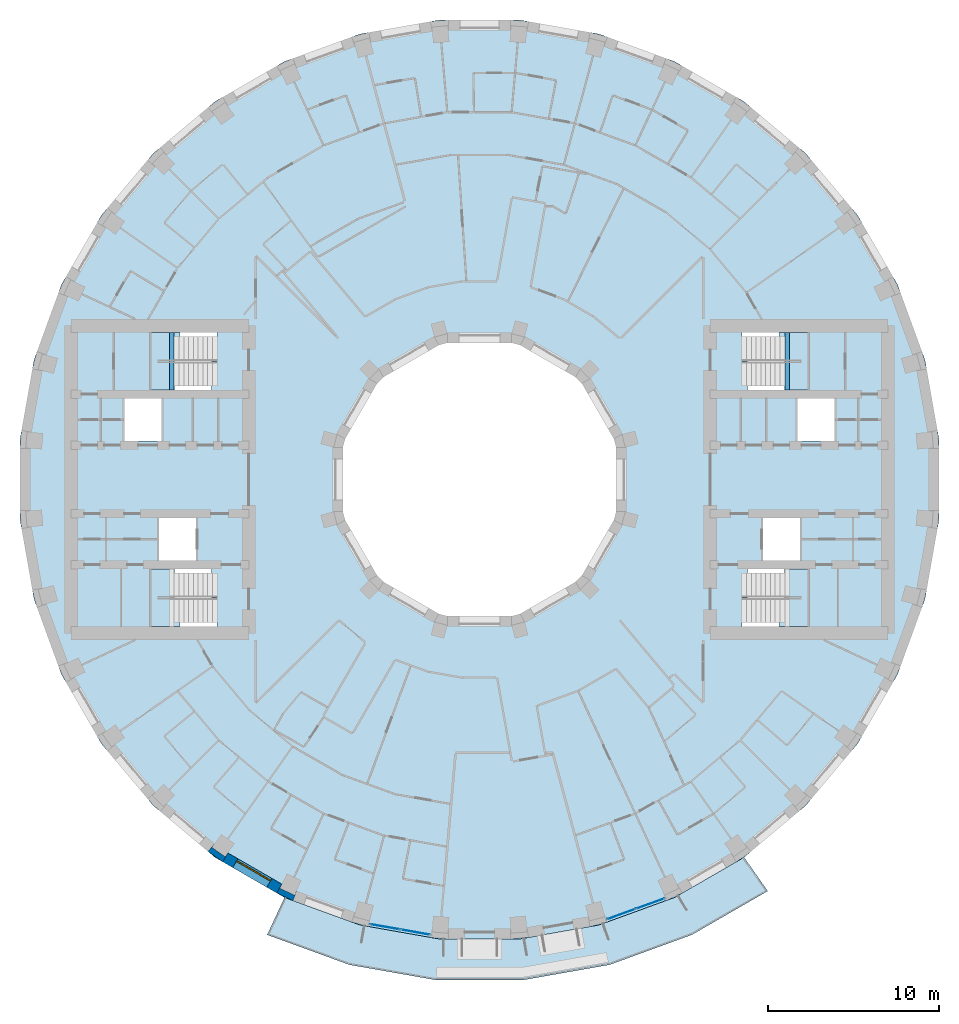
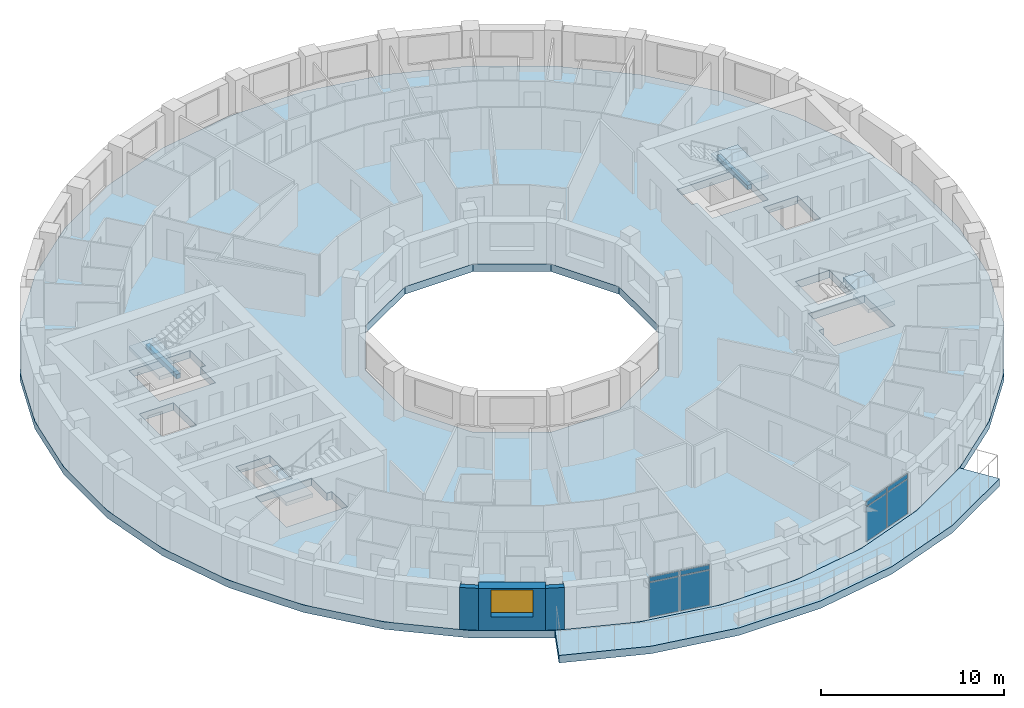
# One storey, part 4 of 16: 8 plates, 6 slabs, 3 walls, 2 beams, 1 window, 1 opening, 6 elements without a shape of their own.
"""IFC4 building model written with IfcOpenShell, lengths in metres."""

from ifc_helpers import new_model, si_unit, direction, frame, frame_2d, origin, origin_2d, place, context, subcontext, project, spatial, polyline, rectangle, outline, extrude, material, layer, layer_set, material_profile, profile_set, type_object, element, fill, aggregate, save


model = new_model("IFC4")

# Units and contexts
model_context = context("Model", 3, precision=1e-05, world=origin(), true_north=direction((0.0, 1.0)))
body_context = subcontext(model_context, "Body", "Model", "MODEL_VIEW")
ifc_project = project(units=[si_unit("LENGTHUNIT", "METRE"), si_unit("AREAUNIT", "SQUARE_METRE"), si_unit("VOLUMEUNIT", "CUBIC_METRE"), si_unit("PLANEANGLEUNIT", "RADIAN"), si_unit("MASSUNIT", "GRAM", prefix="KILO")], contexts=[model_context])

# Site, building, storey
site_placement = place(None, origin())
site = spatial("IfcSite", under=ifc_project, at=site_placement, CompositionType="ELEMENT")
building_placement = place(site_placement, origin())
building = spatial("IfcBuilding", under=site, at=building_placement, Name="Saqina Gate Tower", CompositionType="ELEMENT")
storey_placement = place(building_placement, frame((0.0, 0.0, 144.699951171875)))
storey = spatial("IfcBuildingStorey", under=building, at=storey_placement, Name="L41", CompositionType="ELEMENT", Elevation=144.699951171875)

# Beams
ifc_material_1 = material(Name="Concrete C40/50", Category="concrete")
ifc_material_profile = material_profile(ifc_material_1, rectangle(XDim=0.25, YDim=0.300048828125, at=origin_2d()), Name="STAIR LANDING BEAM")
ifc_profile_set = profile_set([ifc_material_profile], Name="Concrete C40/50")
beam_type = type_object("IfcBeamType", Name="STAIR LANDING BEAM", PredefinedType="BEAM", material=ifc_profile_set)
for number, where, z_axis, x_axis, name in (
    (1, (18.02001953125, 5.25, 1.25), (0.0, 1.0, 0.0), (-1.0, 0.0, 0.0), "EXIT STAIR 1 LANDING BEAM"),
    (2, (-18.02001953125, 5.25, 1.25), (0.0, 1.0, 0.0), (-1.0, 0.0, 0.0), "EXIT STAIR 3 LANDING BEAM"),
):
    element("IfcBeam", number, at=place(storey_placement, frame(where, z_axis=z_axis, x_axis=x_axis)), inside=storey, type_object=beam_type, Name=name, PredefinedType="BEAM", context=body_context, shape_type="SweptSolid", body=[
        extrude(rectangle(XDim=0.25, YDim=0.300048828125, at=origin_2d()), origin(), (0.0, 0.0, 1.0), 3.35009765625),
    ])

# Curtain wall, plates
ifc_material_2 = material(Name="Aluminium glazing", Category="aluminium")
ifc_layer_1 = layer(ifc_material_2, 0.159912109375)
ifc_layer_set_1 = layer_set([ifc_layer_1], Name="CWT-4")
curtain_wall_type = type_object("IfcCurtainWallType", Name="CWT-4", PredefinedType="NOTDEFINED", material=ifc_layer_set_1)
curtain_wall_1_placement = place(storey_placement, origin())
curtain_wall_1 = element("IfcCurtainWall", 3, at=curtain_wall_1_placement, inside=storey, type_object=curtain_wall_type, Name="Terrace lounge glazing facet 26", PredefinedType="NOTDEFINED")
ifc_material_3 = material(Name="Glass", Category="glass")
ifc_layer_2 = layer(ifc_material_3, 0.028076171875)
ifc_layer_set_2 = layer_set([ifc_layer_2], Name="CWT-4P")
plate_type = type_object("IfcPlateType", Name="CWT-4P", PredefinedType="CURTAIN_PANEL", material=ifc_layer_set_2)
plate_1_placement = place(storey_placement, frame((-5.52783203125, -26.18505859375, 0.06005859375), z_axis=(0.0, 0.0, 1.0), x_axis=(0.984809489664, -0.17363832834, 0.0)))
plate_1 = element("IfcPlate", 4, at=plate_1_placement, type_object=plate_type, Name="CW4-26 panel 1.1", PredefinedType="CURTAIN_PANEL", context=body_context, shape_type="SweptSolid", body=[
    extrude(rectangle(XDim=1.73388671875, YDim=0.028076171875, at=origin_2d()), origin(), (0.0, 0.0, 1.0), 2.31005859375),
])
plate_2_placement = place(storey_placement, frame((-5.52783203125, -26.18505859375, 2.429931640625), z_axis=(0.0, 0.0, 1.0), x_axis=(0.984809489664, -0.17363832834, 0.0)))
plate_2 = element("IfcPlate", 5, at=plate_2_placement, type_object=plate_type, Name="CW4-26 panel 1.2", PredefinedType="CURTAIN_PANEL", context=body_context, shape_type="SweptSolid", body=[
    extrude(rectangle(XDim=1.73388671875, YDim=0.028076171875, at=origin_2d()), origin(), (0.0, 0.0, 1.0), 0.31005859375),
])
plate_3_placement = place(storey_placement, frame((-3.76123046875, -26.49658203125, 0.06005859375), z_axis=(0.0, 0.0, 1.0), x_axis=(0.984809489664, -0.17363832834, 0.0)))
plate_3 = element("IfcPlate", 6, at=plate_3_placement, type_object=plate_type, Name="CW4-26 panel 2.1", PredefinedType="CURTAIN_PANEL", context=body_context, shape_type="SweptSolid", body=[
    extrude(rectangle(XDim=1.73388671875, YDim=0.028076171875, at=origin_2d()), origin(), (0.0, 0.0, 1.0), 2.31005859375),
])
plate_4_placement = place(storey_placement, frame((-3.76123046875, -26.49658203125, 2.429931640625), z_axis=(0.0, 0.0, 1.0), x_axis=(0.984809489664, -0.17363832834, 0.0)))
plate_4 = element("IfcPlate", 7, at=plate_4_placement, type_object=plate_type, Name="CW4-26 panel 2.2", PredefinedType="CURTAIN_PANEL", context=body_context, shape_type="SweptSolid", body=[
    extrude(rectangle(XDim=1.73388671875, YDim=0.028076171875, at=origin_2d()), origin(), (0.0, 0.0, 1.0), 0.31005859375),
])
aggregate(curtain_wall_1, [plate_1, plate_2, plate_3, plate_4])

curtain_wall_2_placement = place(storey_placement, origin())
curtain_wall_2 = element("IfcCurtainWall", 8, at=curtain_wall_2_placement, inside=storey, type_object=curtain_wall_type, Name="Terrace lounge glazing facet 29", PredefinedType="NOTDEFINED")
plate_5_placement = place(storey_placement, frame((8.30517578125, -25.44091796875, 0.06005859375), z_axis=(0.0, 0.0, 1.0), x_axis=(0.939694133483, 0.342015987197, 0.0)))
plate_5 = element("IfcPlate", 9, at=plate_5_placement, type_object=plate_type, Name="CW4-29 panel 1.1", PredefinedType="CURTAIN_PANEL", context=body_context, shape_type="SweptSolid", body=[
    extrude(rectangle(XDim=1.73388671875, YDim=0.028076171875, at=origin_2d()), origin(), (0.0, 0.0, 1.0), 2.31005859375),
])
plate_6_placement = place(storey_placement, frame((8.30517578125, -25.44091796875, 2.429931640625), z_axis=(0.0, 0.0, 1.0), x_axis=(0.939694133483, 0.342015987197, 0.0)))
plate_6 = element("IfcPlate", 10, at=plate_6_placement, type_object=plate_type, Name="CW4-29 panel 1.2", PredefinedType="CURTAIN_PANEL", context=body_context, shape_type="SweptSolid", body=[
    extrude(rectangle(XDim=1.73388671875, YDim=0.028076171875, at=origin_2d()), origin(), (0.0, 0.0, 1.0), 0.31005859375),
])
plate_7_placement = place(storey_placement, frame((9.990966796875, -24.827392578125, 0.06005859375), z_axis=(0.0, 0.0, 1.0), x_axis=(0.939694133483, 0.342015987197, 0.0)))
plate_7 = element("IfcPlate", 11, at=plate_7_placement, type_object=plate_type, Name="CW4-29 panel 2.1", PredefinedType="CURTAIN_PANEL", context=body_context, shape_type="SweptSolid", body=[
    extrude(rectangle(XDim=1.73388671875, YDim=0.028076171875, at=origin_2d()), origin(), (0.0, 0.0, 1.0), 2.31005859375),
])
plate_8_placement = place(storey_placement, frame((9.990966796875, -24.827392578125, 2.429931640625), z_axis=(0.0, 0.0, 1.0), x_axis=(0.939694133483, 0.342015987197, 0.0)))
plate_8 = element("IfcPlate", 12, at=plate_8_placement, type_object=plate_type, Name="CW4-29 panel 2.2", PredefinedType="CURTAIN_PANEL", context=body_context, shape_type="SweptSolid", body=[
    extrude(rectangle(XDim=1.73388671875, YDim=0.028076171875, at=origin_2d()), origin(), (0.0, 0.0, 1.0), 0.31005859375),
])
aggregate(curtain_wall_2, [plate_5, plate_6, plate_7, plate_8])

# Stair, slab
ifc_material_4 = material(Name="Concrete C40/50", Category="concrete")
stair_type = type_object("IfcStairType", Name="EXIT STAIR", PredefinedType="HALF_TURN_STAIR", material=ifc_material_4)
stair_1_placement = place(storey_placement, origin())
stair_1 = element("IfcStair", 13, at=stair_1_placement, inside=storey, type_object=stair_type, Name="EXIT STAIR 1", PredefinedType="HALF_TURN_STAIR")
ifc_material_5 = material(Name="Concrete C40/50", Category="concrete")
ifc_layer_3 = layer(ifc_material_5, 0.25)
ifc_layer_set_3 = layer_set([ifc_layer_3], Name="Concrete C40/50")
slab_type_1 = type_object("IfcSlabType", Name="EXIT STAIR LANDING", PredefinedType="LANDING", material=ifc_layer_set_3)
slab_1_placement = place(storey_placement, frame((0.0, 0.0, 1.400146484375)))
slab_1 = element("IfcSlab", 14, at=slab_1_placement, type_object=slab_type_1, Name="EXIT STAIR 1 LANDING 1", PredefinedType="LANDING", context=body_context, shape_type="SweptSolid", body=[
    extrude(outline(polyline([(19.219970703125, 8.60009765625), (19.219970703125, 5.25), (17.864990234375, 5.25), (17.864990234375, 6.925048828125), (17.534423828125, 6.925048828125), (17.534423828125, 8.60009765625), (17.864990234375, 8.60009765625), (17.8701171875, 8.60009765625), (19.219970703125, 8.60009765625)])), origin(), (0.0, 0.0, 1.0), 0.25),
])
aggregate(stair_1, [slab_1])

stair_2_placement = place(storey_placement, origin())
stair_2 = element("IfcStair", 15, at=stair_2_placement, inside=storey, type_object=stair_type, Name="EXIT STAIR 2", PredefinedType="HALF_TURN_STAIR")
slab_2_placement = place(storey_placement, frame((0.0, 0.0, 1.400146484375)))
slab_2 = element("IfcSlab", 16, at=slab_2_placement, type_object=slab_type_1, Name="EXIT STAIR 2 LANDING 1", PredefinedType="LANDING", context=body_context, shape_type="SweptSolid", body=[
    extrude(outline(polyline([(17.534423828125, -8.60009765625), (17.534423828125, -6.925048828125), (17.864990234375, -6.925048828125), (17.864990234375, -5.25), (19.219970703125, -5.25), (19.219970703125, -8.60009765625), (17.8701171875, -8.60009765625), (17.864990234375, -8.60009765625), (17.534423828125, -8.60009765625)])), origin(), (0.0, 0.0, 1.0), 0.25),
])
aggregate(stair_2, [slab_2])

stair_3_placement = place(storey_placement, origin())
stair_3 = element("IfcStair", 17, at=stair_3_placement, inside=storey, type_object=stair_type, Name="EXIT STAIR 3", PredefinedType="HALF_TURN_STAIR")
slab_3_placement = place(storey_placement, frame((0.0, 0.0, 1.400146484375)))
slab_3 = element("IfcSlab", 18, at=slab_3_placement, type_object=slab_type_1, Name="EXIT STAIR 3 LANDING 1", PredefinedType="LANDING", context=body_context, shape_type="SweptSolid", body=[
    extrude(outline(polyline([(-17.864990234375, 5.25), (-19.219970703125, 5.25), (-19.219970703125, 8.60009765625), (-17.8701171875, 8.60009765625), (-17.864990234375, 8.60009765625), (-17.534423828125, 8.60009765625), (-17.534423828125, 6.925048828125), (-17.864990234375, 6.925048828125), (-17.864990234375, 5.25)])), origin(), (0.0, 0.0, 1.0), 0.25),
])
aggregate(stair_3, [slab_3])

stair_4_placement = place(storey_placement, origin())
stair_4 = element("IfcStair", 19, at=stair_4_placement, inside=storey, type_object=stair_type, Name="EXIT STAIR 4", PredefinedType="HALF_TURN_STAIR")
slab_4_placement = place(storey_placement, frame((0.0, 0.0, 1.400146484375)))
slab_4 = element("IfcSlab", 20, at=slab_4_placement, type_object=slab_type_1, Name="EXIT STAIR 4 LANDING 1", PredefinedType="LANDING", context=body_context, shape_type="SweptSolid", body=[
    extrude(outline(polyline([(-17.534423828125, -6.925048828125), (-17.534423828125, -8.60009765625), (-17.864990234375, -8.60009765625), (-17.8701171875, -8.60009765625), (-19.219970703125, -8.60009765625), (-19.219970703125, -5.25), (-17.864990234375, -5.25), (-17.864990234375, -6.925048828125), (-17.534423828125, -6.925048828125)])), origin(), (0.0, 0.0, 1.0), 0.25),
])
aggregate(stair_4, [slab_4])

# Slabs
ifc_material_6 = material(Name="Concrete C40/50", Category="concrete")
ifc_layer_4 = layer(ifc_material_6, 0.5)
ifc_layer_set_4 = layer_set([ifc_layer_4], Name="Concrete C40/50")
slab_type_2 = type_object("IfcSlabType", Name="STR-POST-TENSIONED FLAT PLATE FLOOR-500", PredefinedType="FLOOR", material=ifc_layer_set_4)
slab_5_placement = place(storey_placement, frame((0.0, 0.0, -0.5)))
element("IfcSlab", 21, at=slab_5_placement, inside=storey, type_object=slab_type_2, Name="L41-SLB01", PredefinedType="FLOOR", context=body_context, shape_type="SweptSolid", body=[
    extrude(outline(polyline([(26.080078125, -6.988037109375), (26.897216796875, -2.353271484375), (26.897216796875, 2.353271484375), (26.080078125, 6.988037109375), (24.47021484375, 11.41064453125), (22.1171875, 15.486572265625), (19.091796875, 19.091796875), (15.486572265625, 22.1171875), (11.41064453125, 24.47021484375), (6.988037109375, 26.080078125), (2.353271484375, 26.897216796875), (-2.353271484375, 26.897216796875), (-6.988037109375, 26.080078125), (-11.41064453125, 24.47021484375), (-15.486572265625, 22.1171875), (-19.091796875, 19.091796875), (-22.1171875, 15.486572265625), (-24.47021484375, 11.41064453125), (-26.080078125, 6.988037109375), (-26.897216796875, 2.353271484375), (-26.897216796875, -2.353271484375), (-26.080078125, -6.988037109375), (-24.47021484375, -11.41064453125), (-22.1171875, -15.486572265625), (-19.091796875, -19.091796875), (-15.486572265625, -22.1171875), (-11.41064453125, -24.47021484375), (-6.988037109375, -26.080078125), (-2.353271484375, -26.897216796875), (2.353271484375, -26.897216796875), (6.988037109375, -26.080078125), (11.41064453125, -24.47021484375), (15.486572265625, -22.1171875), (19.091796875, -19.091796875), (22.1171875, -15.486572265625), (24.47021484375, -11.41064453125), (26.080078125, -6.988037109375)]), holes=[polyline([(2.1435546875, 8.0), (5.8564453125, 5.8564453125), (8.0, 2.1435546875), (8.0, -2.1435546875), (5.8564453125, -5.8564453125), (2.1435546875, -8.0), (-2.1435546875, -8.0), (-5.8564453125, -5.8564453125), (-8.0, -2.1435546875), (-8.0, 2.1435546875), (-5.8564453125, 5.8564453125), (-2.1435546875, 8.0), (2.1435546875, 8.0)]), polyline([(-15.35498046875, -8.60009765625), (-19.219970703125, -8.60009765625), (-19.219970703125, -6.925048828125), (-19.219970703125, -5.25), (-15.685546875, -5.25), (-15.685546875, -6.925048828125), (-15.35498046875, -6.925048828125), (-15.35498046875, -8.60009765625)]), polyline([(-16.590087890625, -2.25), (-16.590087890625, -4.75), (-18.75, -4.75), (-18.75, -2.25), (-16.590087890625, -2.25)]), polyline([(-20.780029296875, 4.75), (-18.6201171875, 4.75), (-18.6201171875, 2.25), (-20.780029296875, 2.25), (-20.780029296875, 4.75)]), polyline([(-19.219970703125, 6.925048828125), (-19.219970703125, 8.60009765625), (-15.35498046875, 8.60009765625), (-15.35498046875, 6.925048828125), (-15.685546875, 6.925048828125), (-15.685546875, 5.25), (-19.219970703125, 5.25), (-19.219970703125, 6.925048828125)]), polyline([(15.35498046875, -8.60009765625), (15.35498046875, -6.925048828125), (15.685546875, -6.925048828125), (15.685546875, -5.25), (19.219970703125, -5.25), (19.219970703125, -6.925048828125), (19.219970703125, -8.60009765625), (15.35498046875, -8.60009765625)]), polyline([(18.75, -2.25), (18.75, -4.75), (16.590087890625, -4.75), (16.590087890625, -2.25), (18.75, -2.25)]), polyline([(18.6201171875, 4.75), (20.780029296875, 4.75), (20.780029296875, 2.25), (18.6201171875, 2.25), (18.6201171875, 4.75)]), polyline([(15.685546875, 6.925048828125), (15.35498046875, 6.925048828125), (15.35498046875, 8.60009765625), (19.219970703125, 8.60009765625), (19.219970703125, 6.925048828125), (19.219970703125, 5.25), (15.685546875, 5.25), (15.685546875, 6.925048828125)])]), origin(), (0.0, 0.0, 1.0), 0.5),
])
ifc_material_7 = material(Name="Concrete C40/50", Category="concrete")
ifc_layer_5 = layer(ifc_material_7, 0.5)
ifc_layer_set_5 = layer_set([ifc_layer_5], Name="Concrete C40/50")
slab_type_3 = type_object("IfcSlabType", Name="STR-POST-TENSIONED FLAT PLATE TERRACE-500", PredefinedType="FLOOR", material=ifc_layer_set_5)
slab_6_placement = place(storey_placement, frame((0.0, 0.0, -0.5)))
element("IfcSlab", 22, at=slab_6_placement, inside=storey, type_object=slab_type_3, Name="L41-TRS01", PredefinedType="FLOOR", context=body_context, shape_type="SweptSolid", body=[
    extrude(outline(polyline([(-11.41064453125, -24.47021484375), (-6.988037109375, -26.080078125), (-2.353271484375, -26.897216796875), (2.353271484375, -26.897216796875), (6.988037109375, -26.080078125), (11.41064453125, -24.47021484375), (15.486572265625, -22.1171875), (16.868408203125, -24.090576171875), (12.428955078125, -26.65380859375), (7.611572265625, -28.406982421875), (2.563232421875, -29.29736328125), (-2.563232421875, -29.29736328125), (-7.611572265625, -28.406982421875), (-12.428955078125, -26.65380859375), (-11.41064453125, -24.47021484375)])), origin(), (0.0, 0.0, 1.0), 0.5),
])

# Walls
ifc_material_8 = material(Name="Brick masonry (buff)", Category="masonry")
wall_type_1 = type_object("IfcWallType", Name="BRICK PIER COPING BUFF", PredefinedType="SOLIDWALL", material=ifc_material_8)
wall_1_placement = place(storey_placement, origin())
element("IfcWall", 23, at=wall_1_placement, inside=storey, type_object=wall_type_1, Name="Pier cap L41 column 24", PredefinedType="SOLIDWALL", context=body_context, shape_type="SweptSolid", body=[
    extrude(outline(polyline([(-15.0283203125, -22.3818359375), (-14.728271484375, -21.862060546875), (-14.88232421875, -22.08251953125), (-15.66064453125, -21.53759765625), (-15.50634765625, -21.317138671875), (-15.89208984375, -21.77685546875), (-15.0283203125, -22.3818359375)])), origin(), (0.0, 0.0, 1.0), 2.800048828125),
])
wall_2_placement = place(storey_placement, origin())
element("IfcWall", 24, at=wall_2_placement, inside=storey, type_object=wall_type_1, Name="Pier cap L41 column 25", PredefinedType="SOLIDWALL", context=body_context, shape_type="SweptSolid", body=[
    extrude(outline(polyline([(-10.913330078125, -24.6513671875), (-10.7080078125, -24.08740234375), (-10.82177734375, -24.331298828125), (-11.6826171875, -23.9296875), (-11.569091796875, -23.68603515625), (-11.869140625, -24.205810546875), (-10.913330078125, -24.6513671875)])), origin(), (0.0, 0.0, 1.0), 2.800048828125),
])

# Wall, opening, window
ifc_material_9 = material(Name="Brick masonry (buff)", Category="masonry")
ifc_layer_6 = layer(ifc_material_9, 0.60009765625)
ifc_layer_set_6 = layer_set([ifc_layer_6], Name="FW-BRICK-BUFF")
wall_type_2 = type_object("IfcWallType", Name="FW-BRICK-BUFF", PredefinedType="SOLIDWALL", material=ifc_layer_set_6)
wall_3_placement = place(storey_placement, frame((-14.878173828125, -22.1220703125, 0.0), z_axis=(0.0, 0.0, 1.0), x_axis=(0.866051847062, -0.499954196102, 0.0)))
wall_3 = element("IfcWall", 25, at=wall_3_placement, inside=storey, type_object=wall_type_2, Name="Facade wall L41 facet 24", PredefinedType="SOLIDWALL", context=body_context, shape_type="SweptSolid", body=[
    extrude(rectangle(XDim=3.647705078125, YDim=0.60009765625, at=frame_2d((1.82373046875, 0.0))), origin(), (0.0, 0.0, 1.0), 2.800048828125),
])
opening_placement = place(wall_3_placement, frame((0.673828125, 0.0, 0.89990234375)))
opening = element("IfcOpeningElement", 26, at=opening_placement, cuts=wall_3, Name="Opening G12-W17", PredefinedType="OPENING", context=body_context, shape_type="SweptSolid", body=[
    extrude(rectangle(XDim=2.300048828125, YDim=1.800048828125, at=frame_2d((1.14990234375, 0.89990234375))), frame((0.0, 0.31201171875, 0.0), z_axis=(0.0, -1.0, 0.0), x_axis=(1.0, 0.0, 0.0)), (0.0, 0.0, 1.0), 0.6240234375),
])
ifc_material_10 = material(Name="Aluminium glazing", Category="aluminium")
window_type = type_object("IfcWindowType", Name="WN-B", PartitioningType="SINGLE_PANEL", PredefinedType="WINDOW", material=ifc_material_10)
window_placement = place(opening_placement, origin())
window = element("IfcWindow", 27, at=window_placement, inside=storey, type_object=window_type, Name="Window L41 facet 24", OverallHeight=1.800048828125, OverallWidth=2.300048828125, PartitioningType="SINGLE_PANEL", PredefinedType="WINDOW", context=body_context, shape_type="SweptSolid", body=[
    extrude(rectangle(XDim=2.300048828125, YDim=1.800048828125, at=frame_2d((1.14990234375, 0.89990234375))), frame((0.0, 0.179931640625, 0.0), z_axis=(0.0, -1.0, 0.0), x_axis=(1.0, 0.0, 0.0)), (0.0, 0.0, 1.0), 0.06005859375),
])
fill(opening, window)

save(model, "model.ifc")
